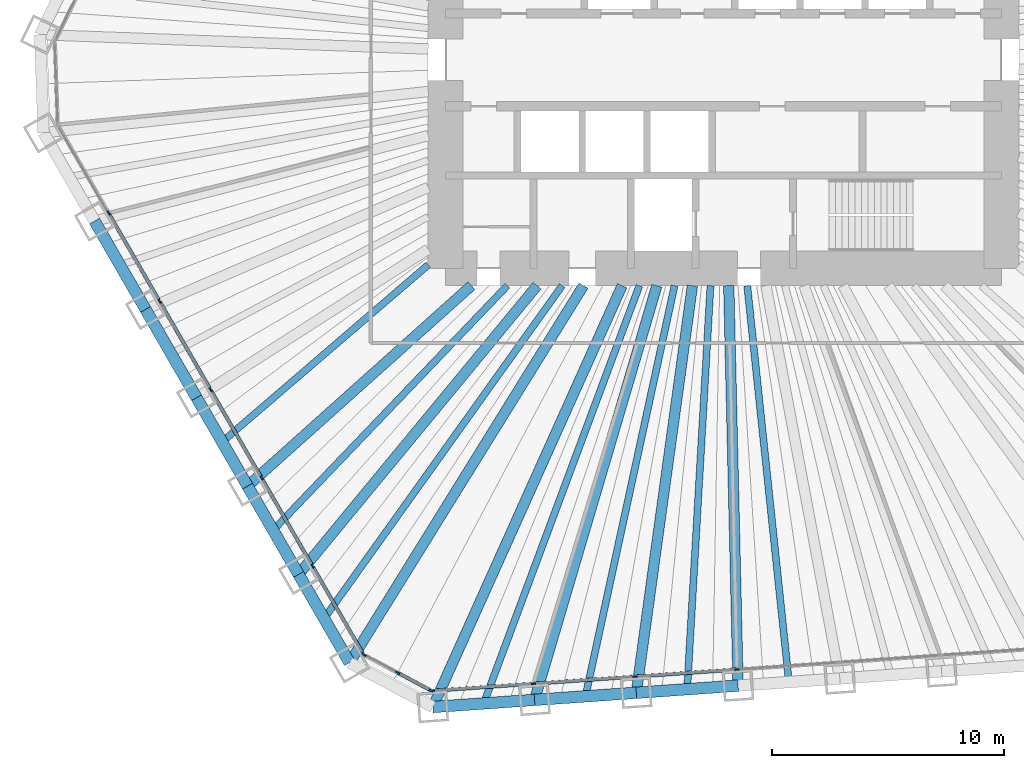
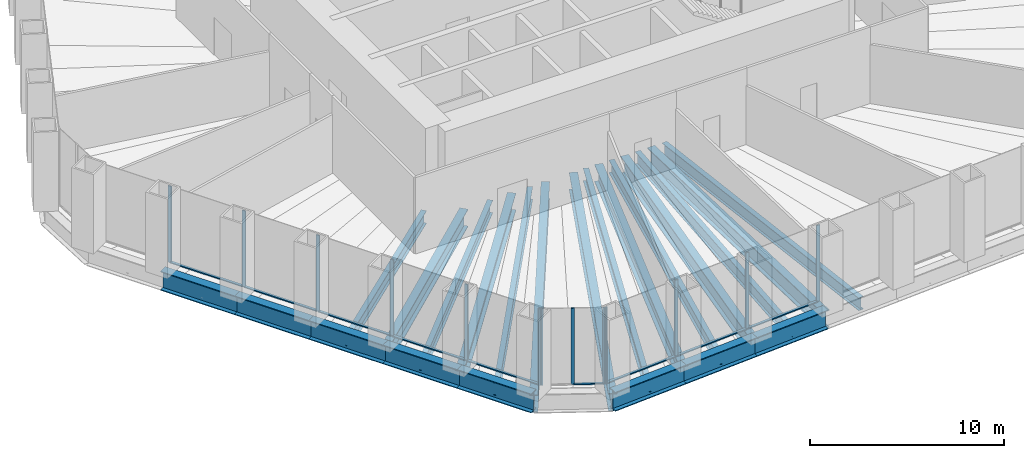
# One storey, part 2 of 13: 22 beams, 22 members, 3 elements without a shape of their own.
"""IFC4 building model written with IfcOpenShell, lengths in metres."""

import ifcopenshell
import ifcopenshell.guid

model = None  # the IFC model being written
_history = None  # IfcOwnerHistory: only IFC2X3 demands one
_inside = {}  # id of a spatial element -> (the spatial element, [elements in it])
_under = {}  # id of a project, library or spatial element -> (it, [spatial elements below it])
_declared = {}  # id of a project -> (the project, [libraries it declares])
_typed = {}  # id of a type object -> (the type object, [elements of that type])
_made_of = {}  # id of a material, layer set ... -> (it, [elements and type objects made of it])


def new_model(schema):
    """Start an empty IFC model of exactly this schema.

    Asked for "IFC4X3", IfcOpenShell would pick the latest addendum, in which some entities
    have other attributes; the version numbers below select the first issue.
    IFC2X3 requires an IfcOwnerHistory on every rooted entity: one is made here for all.
    """
    global model, _history
    if schema == "IFC4X3":
        model = ifcopenshell.file(schema_version=(4, 3, 0, 0))
    else:
        model = ifcopenshell.file(schema=schema)
    _inside.clear()
    _under.clear()
    _declared.clear()
    _typed.clear()
    _made_of.clear()
    _history = None
    if model.schema == "IFC2X3":
        org = make("IfcOrganization", Name="unknown")
        user = make(
            "IfcPersonAndOrganization",
            ThePerson=make("IfcPerson", FamilyName="unknown"),
            TheOrganization=org,
        )
        app = make(
            "IfcApplication",
            ApplicationDeveloper=org,
            Version="unknown",
            ApplicationFullName="unknown",
            ApplicationIdentifier="unknown",
        )
        _history = make(
            "IfcOwnerHistory",
            OwningUser=user,
            OwningApplication=app,
            ChangeAction="ADDED",
            CreationDate=0,
        )
    return model


def make(cls, **values):
    """One entity of the class cls with the attributes given. An attribute that is None is left unset."""
    return model.create_entity(
        cls, **{name: value for name, value in values.items() if value is not None}
    )


def rooted(cls, **values):
    """An entity with a GlobalId (a new one), such as an element, a storey or a relation."""
    return make(cls, GlobalId=ifcopenshell.guid.new(), OwnerHistory=_history, **values)


def si_unit(unit_type, name, prefix=None):
    """IfcSIUnit, for example si_unit("LENGTHUNIT", "METRE", prefix="MILLI")."""
    return make("IfcSIUnit", UnitType=unit_type, Prefix=prefix, Name=name)


def assignment(units):
    """IfcUnitAssignment: the units of a project."""
    return None if units is None else make("IfcUnitAssignment", Units=units)


def point(xyz):
    """IfcCartesianPoint."""
    return None if xyz is None else make("IfcCartesianPoint", Coordinates=xyz)


def direction(xyz):
    """IfcDirection."""
    return None if xyz is None else make("IfcDirection", DirectionRatios=xyz)


def frame(location, z_axis=None, x_axis=None):
    """IfcAxis2Placement3D, a coordinate frame: its origin and axes. An axis left out is left unset."""
    return make(
        "IfcAxis2Placement3D",
        Location=point(location),
        Axis=direction(z_axis),
        RefDirection=direction(x_axis),
    )


def frame_2d(location, x_axis=None):
    """IfcAxis2Placement2D, a coordinate frame in the plane: its origin and x axis."""
    return make(
        "IfcAxis2Placement2D", Location=point(location), RefDirection=direction(x_axis)
    )


def origin():
    """The frame at (0, 0, 0) with its axes left unset."""
    return frame((0.0, 0.0, 0.0))


def origin_2d():
    """The frame at (0, 0) in the plane with its x axis left unset."""
    return frame_2d((0.0, 0.0))


def place(relative_to, where):
    """IfcLocalPlacement: puts the frame where relative to a parent placement (None: the world)."""
    return make(
        "IfcLocalPlacement", PlacementRelTo=relative_to, RelativePlacement=where
    )


def context(
    kind, dimensions, precision=None, world=None, true_north=None, identifier=None
):
    """IfcGeometricRepresentationContext, for example the 3D "Model" context."""
    return make(
        "IfcGeometricRepresentationContext",
        ContextIdentifier=identifier,
        ContextType=kind,
        CoordinateSpaceDimension=dimensions,
        Precision=precision,
        WorldCoordinateSystem=world,
        TrueNorth=true_north,
    )


def subcontext(parent, identifier, kind, view, scale=None):
    """IfcGeometricRepresentationSubContext, for example "Body" below "Model"."""
    return make(
        "IfcGeometricRepresentationSubContext",
        ContextIdentifier=identifier,
        ContextType=kind,
        ParentContext=parent,
        TargetScale=scale,
        TargetView=view,
    )


def project(units=None, contexts=None):
    """IfcProject with its units and contexts."""
    return rooted(
        "IfcProject",
        Name="project",
        RepresentationContexts=contexts,
        UnitsInContext=assignment(units),
    )


def spatial(cls, under=None, at=None, **own):
    """A site, building, storey or space (cls), placed at a placement, below another one or the project."""
    s = rooted(cls, ObjectPlacement=at, **own)
    if under is not None:
        _under.setdefault(under.id(), (under, []))[1].append(s)
    return s


def profile(cls, at=None, kind="AREA", **sizes):
    """A parametric profile (cls). Its sizes go by their IFC names, for example OverallWidth=200.0."""
    return make(cls, ProfileType=kind, Position=at, **sizes)


def rectangle(**sizes):
    """IfcRectangleProfileDef."""
    return profile("IfcRectangleProfileDef", **sizes)


def i_section(**sizes):
    """IfcIShapeProfileDef."""
    return profile("IfcIShapeProfileDef", **sizes)


def extrude(swept, where, along, depth):
    """IfcExtrudedAreaSolid: the profile swept, set in the frame where, extruded along a direction by depth."""
    return make(
        "IfcExtrudedAreaSolid",
        SweptArea=swept,
        Position=where,
        ExtrudedDirection=direction(along),
        Depth=depth,
    )


def shape(context_of_items, identifier, shape_type, items):
    """IfcShapeRepresentation: the items that make up one representation, for example the "Body"."""
    return make(
        "IfcShapeRepresentation",
        ContextOfItems=context_of_items,
        RepresentationIdentifier=identifier,
        RepresentationType=shape_type,
        Items=items,
    )


def material(Name=None, Category=None):
    """IfcMaterial."""
    return make("IfcMaterial", Name=Name, Category=Category)


def material_profile(
    of_material, cross_section, Name=None, Category=None, Priority=None
):
    """IfcMaterialProfile: a cross section and its material."""
    return make(
        "IfcMaterialProfile",
        Name=Name,
        Material=of_material,
        Profile=cross_section,
        Priority=Priority,
        Category=Category,
    )


def profile_set(profiles, Name=None, composite=None):
    """IfcMaterialProfileSet."""
    return make(
        "IfcMaterialProfileSet",
        Name=Name,
        MaterialProfiles=profiles,
        CompositeProfile=composite,
    )


def made_of(thing, what):
    """Note that an element or type object is made of a material, layer set ...; save() writes the relation."""
    if what is not None:
        _made_of.setdefault(what.id(), (what, []))[1].append(thing)
    return thing


def type_object(cls, material=None, **own):
    """A type object (cls), such as IfcWallType, which elements share."""
    return made_of(rooted(cls, **own), material)


def element(
    cls,
    number,
    at=None,
    inside=None,
    cuts=None,
    type_object=None,
    material=None,
    context=None,
    identifier="Body",
    shape_type=None,
    held_by="IfcProductDefinitionShape",
    body=None,
    shapes=None,
    **own,
):
    """One element of the class cls, such as IfcWall. Its Tag is "e" and its number.

    at: its placement. inside: the storey or other place that contains it. cuts: it is an
    opening in that element (IfcRelVoidsElement). A single representation is given by context,
    identifier, shape_type and body (its items); several are given by shapes. held_by: the class
    of the entity that holds the representations. save() writes the other relations.
    """
    e = rooted(cls, Tag="e%d" % number, ObjectPlacement=at, **own)
    if body is not None:
        shapes = [shape(context, identifier, shape_type, body)]
    if shapes is not None:
        e.Representation = make(held_by, Representations=shapes)
    if inside is not None:
        _inside.setdefault(inside.id(), (inside, []))[1].append(e)
    if cuts is not None:
        rooted(
            "IfcRelVoidsElement", RelatingBuildingElement=cuts, RelatedOpeningElement=e
        )
    if type_object is not None:
        _typed.setdefault(type_object.id(), (type_object, []))[1].append(e)
    return made_of(e, material)


def aggregate(whole, parts):
    """IfcRelAggregates: a whole, such as a stair, and the parts it consists of."""
    return rooted("IfcRelAggregates", RelatingObject=whole, RelatedObjects=parts)


def save(model, path):
    """Write the relations noted so far, then the file.

    IfcRelAggregates (storeys below a building ...), IfcRelContainedInSpatialStructure (elements
    in a storey), IfcRelDefinesByType, IfcRelAssociatesMaterial and IfcRelDeclares: one each for
    every whole, place, type object, material and project.
    """
    for whole, parts in _under.values():
        aggregate(whole, parts)
    for where, things in _inside.values():
        rooted(
            "IfcRelContainedInSpatialStructure",
            RelatedElements=things,
            RelatingStructure=where,
        )
    for kind, things in _typed.values():
        rooted("IfcRelDefinesByType", RelatedObjects=things, RelatingType=kind)
    for what, things in _made_of.values():
        rooted("IfcRelAssociatesMaterial", RelatedObjects=things, RelatingMaterial=what)
    for by, libraries in _declared.values():
        rooted("IfcRelDeclares", RelatingContext=by, RelatedDefinitions=libraries)
    model.write(path)


model = new_model("IFC4")

# Units and contexts
model_context = context("Model", 3, precision=1e-05, world=origin(), true_north=direction((0.0, 1.0)))
body_context = subcontext(model_context, "Body", "Model", "MODEL_VIEW")
ifc_project = project(units=[si_unit("LENGTHUNIT", "METRE"), si_unit("AREAUNIT", "SQUARE_METRE"), si_unit("VOLUMEUNIT", "CUBIC_METRE"), si_unit("PLANEANGLEUNIT", "RADIAN"), si_unit("MASSUNIT", "GRAM", prefix="KILO")], contexts=[model_context])

# Site, building, storey
site_placement = place(None, origin())
site = spatial("IfcSite", under=ifc_project, at=site_placement, CompositionType="ELEMENT")
building_placement = place(site_placement, origin())
building = spatial("IfcBuilding", under=site, at=building_placement, Name="Qingtian Harvest Tower", CompositionType="ELEMENT")
storey_placement = place(building_placement, frame((0.0, 0.0, 32.0)))
storey = spatial("IfcBuildingStorey", under=building, at=storey_placement, Name="L06", CompositionType="ELEMENT", Elevation=32.0)

# Beams
ifc_material_1 = material(Name="Steel SM570MC", Category="steel")
ifc_material_profile_1 = material_profile(ifc_material_1, i_section(OverallWidth=0.449951171875, OverallDepth=1.10009765625, WebThickness=0.02197265625, FlangeThickness=0.044921875, at=origin_2d()), Name="H1100x450x22x45")
ifc_profile_set_1 = profile_set([ifc_material_profile_1], Name="Steel SM570MC")
beam_type_1 = type_object("IfcBeamType", Name="Corner floor beam FB8 H1100x450x22x45", PredefinedType="BEAM", material=ifc_profile_set_1)
beam_1_placement = place(storey_placement, frame((-12.552734375, -27.943603515625, -0.75), z_axis=(0.409769605538, 0.912189054077, 0.0), x_axis=(-0.912189054077, 0.409769605538, 0.0)))
element("IfcBeam", 1, at=beam_1_placement, inside=storey, type_object=beam_type_1, Name="Floor beam FB8 S6", PredefinedType="BEAM", context=body_context, shape_type="SweptSolid", body=[
    extrude(i_section(OverallWidth=0.449951171875, OverallDepth=1.10009765625, WebThickness=0.02197265625, FlangeThickness=0.044921875, at=origin_2d()), origin(), (0.0, 0.0, 1.0), 19.945068359375),
])
beam_2_placement = place(storey_placement, frame((-16.14697265625, -26.03271484375, -0.75), z_axis=(0.5270935495, 0.849807266429, 0.0), x_axis=(-0.849807266429, 0.5270935495, 0.0)))
element("IfcBeam", 2, at=beam_2_placement, inside=storey, type_object=beam_type_1, Name="Floor beam FB8 SW0", PredefinedType="BEAM", context=body_context, shape_type="SweptSolid", body=[
    extrude(i_section(OverallWidth=0.449951171875, OverallDepth=1.10009765625, WebThickness=0.02197265625, FlangeThickness=0.044921875, at=origin_2d()), origin(), (0.0, 0.0, 1.0), 19.160400390625),
])
ifc_material_2 = material(Name="Steel SM570MC", Category="steel")
ifc_material_profile_2 = material_profile(ifc_material_2, i_section(OverallWidth=0.449951171875, OverallDepth=1.10009765625, WebThickness=0.02197265625, FlangeThickness=0.044921875, at=origin_2d()), Name="H1100x450x22x45")
ifc_profile_set_2 = profile_set([ifc_material_profile_2], Name="Steel SM570MC")
beam_type_2 = type_object("IfcBeamType", Name="Floor beam FB1 H1100x450x22x45", PredefinedType="BEAM", material=ifc_profile_set_2)
beam_3_placement = place(storey_placement, frame((0.62890625, -27.02197265625, -0.75), z_axis=(-0.023274161941, 0.999729120005, 0.0), x_axis=(-0.999729120005, -0.023274161941, 0.0)))
element("IfcBeam", 3, at=beam_3_placement, inside=storey, type_object=beam_type_2, Name="Floor beam FB1 S3", PredefinedType="BEAM", context=body_context, shape_type="SweptSolid", body=[
    extrude(i_section(OverallWidth=0.449951171875, OverallDepth=1.10009765625, WebThickness=0.02197265625, FlangeThickness=0.044921875, at=origin_2d()), origin(), (0.0, 0.0, 1.0), 17.276611328125),
])
beam_4_placement = place(storey_placement, frame((-3.76513671875, -27.3291015625, -0.75), z_axis=(0.136480966577, 0.990642693287, 0.0), x_axis=(-0.990642693287, 0.136480966577, 0.0)))
element("IfcBeam", 4, at=beam_4_placement, inside=storey, type_object=beam_type_2, Name="Floor beam FB1 S4", PredefinedType="BEAM", context=body_context, shape_type="SweptSolid", body=[
    extrude(i_section(OverallWidth=0.449951171875, OverallDepth=1.10009765625, WebThickness=0.02197265625, FlangeThickness=0.044921875, at=origin_2d()), origin(), (0.0, 0.0, 1.0), 17.7451171875),
])
beam_5_placement = place(storey_placement, frame((-8.158935546875, -27.636474609375, -0.75), z_axis=(0.283142824758, 0.95907775534, 0.0), x_axis=(-0.95907775534, 0.283142824758, 0.0)))
element("IfcBeam", 5, at=beam_5_placement, inside=storey, type_object=beam_type_2, Name="Floor beam FB1 S5", PredefinedType="BEAM", context=body_context, shape_type="SweptSolid", body=[
    extrude(i_section(OverallWidth=0.449951171875, OverallDepth=1.10009765625, WebThickness=0.02197265625, FlangeThickness=0.044921875, at=origin_2d()), origin(), (0.0, 0.0, 1.0), 18.649658203125),
])
beam_6_placement = place(storey_placement, frame((-18.349365234375, -22.21826171875, -0.75), z_axis=(0.636780387972, 0.771045224026, 0.0), x_axis=(-0.771045224026, 0.636780387972, 0.0)))
element("IfcBeam", 6, at=beam_6_placement, inside=storey, type_object=beam_type_2, Name="Floor beam FB1 SW1", PredefinedType="BEAM", context=body_context, shape_type="SweptSolid", body=[
    extrude(i_section(OverallWidth=0.449951171875, OverallDepth=1.10009765625, WebThickness=0.02197265625, FlangeThickness=0.044921875, at=origin_2d()), origin(), (0.0, 0.0, 1.0), 16.170654296875),
])
beam_7_placement = place(storey_placement, frame((-20.551513671875, -18.403564453125, -0.75), z_axis=(0.744965104975, 0.667103434536, 0.0), x_axis=(-0.667103434536, 0.744965104975, 0.0)))
element("IfcBeam", 7, at=beam_7_placement, inside=storey, type_object=beam_type_2, Name="Floor beam FB1 SW2", PredefinedType="BEAM", context=body_context, shape_type="SweptSolid", body=[
    extrude(i_section(OverallWidth=0.449951171875, OverallDepth=1.10009765625, WebThickness=0.02197265625, FlangeThickness=0.044921875, at=origin_2d()), origin(), (0.0, 0.0, 1.0), 12.971923828125),
])
ifc_material_3 = material(Name="Steel SN490B", Category="steel")
ifc_material_profile_3 = material_profile(ifc_material_3, i_section(OverallWidth=0.300048828125, OverallDepth=0.800048828125, WebThickness=0.013916015625, FlangeThickness=0.02587890625, at=origin_2d()), Name="H800x300x14x26")
ifc_profile_set_3 = profile_set([ifc_material_profile_3], Name="Steel SN490B")
beam_type_3 = type_object("IfcBeamType", Name="Floor joist J1 H800x300x14x26", PredefinedType="JOIST", material=ifc_profile_set_3)
beam_8_placement = place(storey_placement, frame((2.82568359375, -26.868408203125, -0.60009765625), z_axis=(-0.104590278152, 0.99451539642, 0.0), x_axis=(-0.99451539642, -0.104590278152, 0.0)))
element("IfcBeam", 8, at=beam_8_placement, inside=storey, type_object=beam_type_3, Name="Floor joist J1 S2", PredefinedType="JOIST", context=body_context, shape_type="SweptSolid", body=[
    extrude(i_section(OverallWidth=0.300048828125, OverallDepth=0.800048828125, WebThickness=0.013916015625, FlangeThickness=0.02587890625, at=origin_2d()), origin(), (0.0, 0.0, 1.0), 17.212890625),
])
beam_9_placement = place(storey_placement, frame((-1.568115234375, -27.175537109375, -0.60009765625), z_axis=(0.057613424947, 0.998338967118, 0.0), x_axis=(-0.998338967118, 0.057613424947, 0.0)))
element("IfcBeam", 9, at=beam_9_placement, inside=storey, type_object=beam_type_3, Name="Floor joist J1 S3", PredefinedType="JOIST", context=body_context, shape_type="SweptSolid", body=[
    extrude(i_section(OverallWidth=0.300048828125, OverallDepth=0.800048828125, WebThickness=0.013916015625, FlangeThickness=0.02587890625, at=origin_2d()), origin(), (0.0, 0.0, 1.0), 17.45458984375),
])
beam_10_placement = place(storey_placement, frame((-5.9619140625, -27.48291015625, -0.60009765625), z_axis=(0.211992805661, 0.977271226604, 0.0), x_axis=(-0.977271226604, 0.211992805661, 0.0)))
element("IfcBeam", 10, at=beam_10_placement, inside=storey, type_object=beam_type_3, Name="Floor joist J1 S4", PredefinedType="JOIST", context=body_context, shape_type="SweptSolid", body=[
    extrude(i_section(OverallWidth=0.300048828125, OverallDepth=0.800048828125, WebThickness=0.013916015625, FlangeThickness=0.02587890625, at=origin_2d()), origin(), (0.0, 0.0, 1.0), 18.145263671875),
])
beam_11_placement = place(storey_placement, frame((-10.35595703125, -27.7900390625, -0.60009765625), z_axis=(0.349193741063, 0.937050548905, 0.0), x_axis=(-0.937050548905, 0.349193741063, 0.0)))
element("IfcBeam", 11, at=beam_11_placement, inside=storey, type_object=beam_type_3, Name="Floor joist J1 S5", PredefinedType="JOIST", context=body_context, shape_type="SweptSolid", body=[
    extrude(i_section(OverallWidth=0.300048828125, OverallDepth=0.800048828125, WebThickness=0.013916015625, FlangeThickness=0.02587890625, at=origin_2d()), origin(), (0.0, 0.0, 1.0), 19.251953125),
])
beam_12_placement = place(storey_placement, frame((-17.248046875, -24.12548828125, -0.60009765625), z_axis=(0.581580544546, 0.81348882611, 0.0), x_axis=(-0.81348882611, 0.581580544546, 0.0)))
element("IfcBeam", 12, at=beam_12_placement, inside=storey, type_object=beam_type_3, Name="Floor joist J1 SW0", PredefinedType="JOIST", context=body_context, shape_type="SweptSolid", body=[
    extrude(i_section(OverallWidth=0.300048828125, OverallDepth=0.800048828125, WebThickness=0.013916015625, FlangeThickness=0.02587890625, at=origin_2d()), origin(), (0.0, 0.0, 1.0), 17.67138671875),
])
beam_13_placement = place(storey_placement, frame((-19.450439453125, -20.31103515625, -0.60009765625), z_axis=(0.691639144398, 0.722243237377, 0.0), x_axis=(-0.722243237377, 0.691639144398, 0.0)))
element("IfcBeam", 13, at=beam_13_placement, inside=storey, type_object=beam_type_3, Name="Floor joist J1 SW1", PredefinedType="JOIST", context=body_context, shape_type="SweptSolid", body=[
    extrude(i_section(OverallWidth=0.300048828125, OverallDepth=0.800048828125, WebThickness=0.013916015625, FlangeThickness=0.02587890625, at=origin_2d()), origin(), (0.0, 0.0, 1.0), 14.62255859375),
])
beam_14_placement = place(storey_placement, frame((-21.652587890625, -16.496337890625, -0.60009765625), z_axis=(0.758605680154, 0.651550014994, 0.0), x_axis=(-0.651550014994, 0.758605680154, 0.0)))
element("IfcBeam", 14, at=beam_14_placement, inside=storey, type_object=beam_type_3, Name="Floor joist J1 SW2", PredefinedType="JOIST", context=body_context, shape_type="SweptSolid", body=[
    extrude(i_section(OverallWidth=0.300048828125, OverallDepth=0.800048828125, WebThickness=0.013916015625, FlangeThickness=0.02587890625, at=origin_2d()), origin(), (0.0, 0.0, 1.0), 11.7353515625),
])

# Curtain wall, members
ifc_material_4 = material(Name="Bronze-anodised aluminium curtain wall", Category="aluminium")
curtain_wall_type = type_object("IfcCurtainWallType", Name="Curtain wall CW2 farm reception", PredefinedType="USERDEFINED", material=ifc_material_4)
curtain_wall_1_placement = place(storey_placement, origin())
curtain_wall_1 = element("IfcCurtainWall", 15, at=curtain_wall_1_placement, inside=storey, type_object=curtain_wall_type, Name="Curtain wall CW2 L06 S0-5", ObjectType="RECESSED CURTAIN WALL", PredefinedType="USERDEFINED")
ifc_material_5 = material(Name="Bronze-anodised aluminium mullion", Category="aluminium")
ifc_material_profile_4 = material_profile(ifc_material_5, rectangle(XDim=0.06494140625, YDim=0.199951171875, at=origin_2d()), Name="AL 65x200")
ifc_profile_set_4 = profile_set([ifc_material_profile_4], Name="Bronze-anodised aluminium mullion")
member_type_1 = type_object("IfcMemberType", Name="Mullion CWM 65x200", PredefinedType="MULLION", material=ifc_profile_set_4)
member_1_placement = place(storey_placement, frame((0.580078125, -26.32373046875, 0.0), z_axis=(0.0, 0.0, 1.0), x_axis=(0.069756473744, -0.99756405026, 0.0)))
member_1 = element("IfcMember", 16, at=member_1_placement, type_object=member_type_1, Name="CW2 mullion 4", PredefinedType="MULLION", context=body_context, shape_type="SweptSolid", body=[
    extrude(rectangle(XDim=0.06494140625, YDim=0.199951171875, at=origin_2d()), origin(), (0.0, 0.0, 1.0), 4.800048828125),
])
member_2_placement = place(storey_placement, frame((-3.81396484375, -26.630859375, 0.0), z_axis=(0.0, 0.0, 1.0), x_axis=(0.069756473744, -0.99756405026, 0.0)))
member_2 = element("IfcMember", 17, at=member_2_placement, type_object=member_type_1, Name="CW2 mullion 5", PredefinedType="MULLION", context=body_context, shape_type="SweptSolid", body=[
    extrude(rectangle(XDim=0.06494140625, YDim=0.199951171875, at=origin_2d()), origin(), (0.0, 0.0, 1.0), 4.800048828125),
])
member_3_placement = place(storey_placement, frame((-8.207763671875, -26.938232421875, 0.0), z_axis=(0.0, 0.0, 1.0), x_axis=(0.069756473744, -0.99756405026, 0.0)))
member_3 = element("IfcMember", 18, at=member_3_placement, type_object=member_type_1, Name="CW2 mullion 6", PredefinedType="MULLION", context=body_context, shape_type="SweptSolid", body=[
    extrude(rectangle(XDim=0.06494140625, YDim=0.199951171875, at=origin_2d()), origin(), (0.0, 0.0, 1.0), 4.800048828125),
])
member_4_placement = place(storey_placement, frame((-12.569091796875, -27.2431640625, 0.0), z_axis=(0.0, 0.0, 1.0), x_axis=(0.069756473744, -0.99756405026, 0.0)))
member_4 = element("IfcMember", 19, at=member_4_placement, type_object=member_type_1, Name="CW2 mullion 7", PredefinedType="MULLION", context=body_context, shape_type="SweptSolid", body=[
    extrude(rectangle(XDim=0.06494140625, YDim=0.199951171875, at=origin_2d()), origin(), (0.0, 0.0, 1.0), 4.800048828125),
])

curtain_wall_2_placement = place(storey_placement, origin())
curtain_wall_2 = element("IfcCurtainWall", 20, at=curtain_wall_2_placement, inside=storey, type_object=curtain_wall_type, Name="Curtain wall CW2 L06 SC", ObjectType="RECESSED CURTAIN WALL", PredefinedType="USERDEFINED")
member_5_placement = place(storey_placement, frame((-12.63037109375, -27.230224609375, 0.0), z_axis=(0.0, 0.0, 1.0), x_axis=(-0.469471562786, -0.882947592859, 0.0)))
member_5 = element("IfcMember", 21, at=member_5_placement, type_object=member_type_1, Name="CW2 mullion 1", PredefinedType="MULLION", context=body_context, shape_type="SweptSolid", body=[
    extrude(rectangle(XDim=0.06494140625, YDim=0.199951171875, at=origin_2d()), origin(), (0.0, 0.0, 1.0), 4.800048828125),
])
member_6_placement = place(storey_placement, frame((-14.0712890625, -26.464111328125, 0.0), z_axis=(0.0, 0.0, 1.0), x_axis=(-0.469471562786, -0.882947592859, 0.0)))
member_6 = element("IfcMember", 22, at=member_6_placement, type_object=member_type_1, Name="CW2 mullion 2", PredefinedType="MULLION", context=body_context, shape_type="SweptSolid", body=[
    extrude(rectangle(XDim=0.06494140625, YDim=0.199951171875, at=origin_2d()), origin(), (0.0, 0.0, 1.0), 4.800048828125),
])
member_7_placement = place(storey_placement, frame((-15.511962890625, -25.697998046875, 0.0), z_axis=(0.0, 0.0, 1.0), x_axis=(-0.469471562786, -0.882947592859, 0.0)))
member_7 = element("IfcMember", 23, at=member_7_placement, type_object=member_type_1, Name="CW2 mullion 3", PredefinedType="MULLION", context=body_context, shape_type="SweptSolid", body=[
    extrude(rectangle(XDim=0.06494140625, YDim=0.199951171875, at=origin_2d()), origin(), (0.0, 0.0, 1.0), 4.800048828125),
])

curtain_wall_3_placement = place(storey_placement, origin())
curtain_wall_3 = element("IfcCurtainWall", 24, at=curtain_wall_3_placement, inside=storey, type_object=curtain_wall_type, Name="Curtain wall CW2 L06 SW0-5", ObjectType="RECESSED CURTAIN WALL", PredefinedType="USERDEFINED")
member_8_placement = place(storey_placement, frame((-15.556884765625, -25.654541015625, 0.0), z_axis=(0.0, 0.0, 1.0), x_axis=(-0.866025403784, -0.5, 0.0)))
member_8 = element("IfcMember", 25, at=member_8_placement, type_object=member_type_1, Name="CW2 mullion 1", PredefinedType="MULLION", context=body_context, shape_type="SweptSolid", body=[
    extrude(rectangle(XDim=0.06494140625, YDim=0.199951171875, at=origin_2d()), origin(), (0.0, 0.0, 1.0), 4.800048828125),
])
member_9_placement = place(storey_placement, frame((-17.742919921875, -21.8681640625, 0.0), z_axis=(0.0, 0.0, 1.0), x_axis=(-0.866025403784, -0.5, 0.0)))
member_9 = element("IfcMember", 26, at=member_9_placement, type_object=member_type_1, Name="CW2 mullion 2", PredefinedType="MULLION", context=body_context, shape_type="SweptSolid", body=[
    extrude(rectangle(XDim=0.06494140625, YDim=0.199951171875, at=origin_2d()), origin(), (0.0, 0.0, 1.0), 4.800048828125),
])
member_10_placement = place(storey_placement, frame((-19.9453125, -18.0537109375, 0.0), z_axis=(0.0, 0.0, 1.0), x_axis=(-0.866025403784, -0.5, 0.0)))
member_10 = element("IfcMember", 27, at=member_10_placement, type_object=member_type_1, Name="CW2 mullion 3", PredefinedType="MULLION", context=body_context, shape_type="SweptSolid", body=[
    extrude(rectangle(XDim=0.06494140625, YDim=0.199951171875, at=origin_2d()), origin(), (0.0, 0.0, 1.0), 4.800048828125),
])
member_11_placement = place(storey_placement, frame((-22.147705078125, -14.2392578125, 0.0), z_axis=(0.0, 0.0, 1.0), x_axis=(-0.866025403784, -0.5, 0.0)))
member_11 = element("IfcMember", 28, at=member_11_placement, type_object=member_type_1, Name="CW2 mullion 4", PredefinedType="MULLION", context=body_context, shape_type="SweptSolid", body=[
    extrude(rectangle(XDim=0.06494140625, YDim=0.199951171875, at=origin_2d()), origin(), (0.0, 0.0, 1.0), 4.800048828125),
])
member_12_placement = place(storey_placement, frame((-24.349853515625, -10.424560546875, 0.0), z_axis=(0.0, 0.0, 1.0), x_axis=(-0.866025403784, -0.5, 0.0)))
member_12 = element("IfcMember", 29, at=member_12_placement, type_object=member_type_1, Name="CW2 mullion 5", PredefinedType="MULLION", context=body_context, shape_type="SweptSolid", body=[
    extrude(rectangle(XDim=0.06494140625, YDim=0.199951171875, at=origin_2d()), origin(), (0.0, 0.0, 1.0), 4.800048828125),
])
member_13_placement = place(storey_placement, frame((-26.55224609375, -6.610107421875, 0.0), z_axis=(0.0, 0.0, 1.0), x_axis=(-0.866025403784, -0.5, 0.0)))
member_13 = element("IfcMember", 30, at=member_13_placement, type_object=member_type_1, Name="CW2 mullion 6", PredefinedType="MULLION", context=body_context, shape_type="SweptSolid", body=[
    extrude(rectangle(XDim=0.06494140625, YDim=0.199951171875, at=origin_2d()), origin(), (0.0, 0.0, 1.0), 4.800048828125),
])

# Beams
ifc_material_6 = material(Name="Steel SM570MC", Category="steel")
ifc_material_profile_5 = material_profile(ifc_material_6, i_section(OverallWidth=0.5, OverallDepth=1.199951171875, WebThickness=0.02490234375, FlangeThickness=0.050048828125, at=origin_2d()), Name="H1200x500x25x50")
ifc_profile_set_5 = profile_set([ifc_material_profile_5], Name="Steel SM570MC")
beam_type_4 = type_object("IfcBeamType", Name="Spandrel beam SB1 H1200x500x25x50", PredefinedType="SPANDREL", material=ifc_profile_set_5)
beam_15_placement = place(storey_placement, frame((0.62890625, -27.02197265625, -0.60009765625), z_axis=(-0.997566143208, -0.069726536735, 0.0), x_axis=(0.069726536735, -0.997566143208, 0.0)))
element("IfcBeam", 31, at=beam_15_placement, inside=storey, type_object=beam_type_4, Name="Spandrel SB1 S3", PredefinedType="SPANDREL", context=body_context, shape_type="SweptSolid", body=[
    extrude(i_section(OverallWidth=0.5, OverallDepth=1.199951171875, WebThickness=0.02490234375, FlangeThickness=0.050048828125, at=origin_2d()), origin(), (0.0, 0.0, 1.0), 4.40478515625),
])
for number, where, z_axis, x_axis, name in (
    (32, (-3.76513671875, -27.3291015625, -0.60009765625), (-0.997562016486, -0.069785551967, 0.0), (0.069785551967, -0.997562016486, 0.0), "Spandrel SB1 S4"),
    (33, (-8.158935546875, -27.636474609375, -0.60009765625), (-0.997565873714, -0.069730392239, 0.0), (0.069730392239, -0.997565873714, 0.0), "Spandrel SB1 S5"),
    (34, (-16.14697265625, -26.03271484375, -0.60009765625), (-0.50001992892, 0.866013897511, 0.0), (-0.866013897511, -0.50001992892, 0.0), "Spandrel SB1 SW0"),
):
    element("IfcBeam", number, at=place(storey_placement, frame(where, z_axis=z_axis, x_axis=x_axis)), inside=storey, type_object=beam_type_4, Name=name, PredefinedType="SPANDREL", context=body_context, shape_type="SweptSolid", body=[
        extrude(i_section(OverallWidth=0.5, OverallDepth=1.199951171875, WebThickness=0.02490234375, FlangeThickness=0.050048828125, at=origin_2d()), origin(), (0.0, 0.0, 1.0), 4.404541015625),
    ])
beam_16_placement = place(storey_placement, frame((-18.349365234375, -22.21826171875, -0.60009765625), z_axis=(-0.499954356739, 0.86605175433, 0.0), x_axis=(-0.86605175433, -0.499954356739, 0.0)))
element("IfcBeam", 35, at=beam_16_placement, inside=storey, type_object=beam_type_4, Name="Spandrel SB1 SW1", PredefinedType="SPANDREL", context=body_context, shape_type="SweptSolid", body=[
    extrude(i_section(OverallWidth=0.5, OverallDepth=1.199951171875, WebThickness=0.02490234375, FlangeThickness=0.050048828125, at=origin_2d()), origin(), (0.0, 0.0, 1.0), 4.40478515625),
])
for number, where, z_axis, x_axis, name in (
    (36, (-20.551513671875, -18.403564453125, -0.60009765625), (-0.50001992892, 0.866013897511, 0.0), (-0.866013897511, -0.50001992892, 0.0), "Spandrel SB1 SW2"),
    (37, (-22.75390625, -14.589111328125, -0.60009765625), (-0.499978356969, 0.866037899034, 0.0), (-0.866037899034, -0.499978356969, 0.0), "Spandrel SB1 SW3"),
    (38, (-24.9560546875, -10.774658203125, -0.60009765625), (-0.50001992892, 0.866013897511, 0.0), (-0.866013897511, -0.50001992892, 0.0), "Spandrel SB1 SW4"),
):
    element("IfcBeam", number, at=place(storey_placement, frame(where, z_axis=z_axis, x_axis=x_axis)), inside=storey, type_object=beam_type_4, Name=name, PredefinedType="SPANDREL", context=body_context, shape_type="SweptSolid", body=[
        extrude(i_section(OverallWidth=0.5, OverallDepth=1.199951171875, WebThickness=0.02490234375, FlangeThickness=0.050048828125, at=origin_2d()), origin(), (0.0, 0.0, 1.0), 4.404541015625),
    ])

# Member
ifc_material_7 = material(Name="Bronze-anodised aluminium transom", Category="aluminium")
ifc_material_profile_6 = material_profile(ifc_material_7, rectangle(XDim=0.14990234375, YDim=0.06494140625, at=origin_2d()), Name="AL 65x150")
ifc_profile_set_6 = profile_set([ifc_material_profile_6], Name="Bronze-anodised aluminium transom")
member_type_2 = type_object("IfcMemberType", Name="Transom CWT 65x150", PredefinedType="USERDEFINED", material=ifc_profile_set_6)
member_14_placement = place(storey_placement, frame((0.547607421875, -26.325927734375, 0.032470703125), z_axis=(-0.997563824095, -0.069759707979, 0.0), x_axis=(0.069759707979, -0.997563824095, 0.0)))
member_14 = element("IfcMember", 39, at=member_14_placement, type_object=member_type_2, Name="CW2 transom 4.1", ObjectType="TRANSOM", PredefinedType="USERDEFINED", context=body_context, shape_type="SweptSolid", body=[
    extrude(rectangle(XDim=0.14990234375, YDim=0.06494140625, at=origin_2d()), origin(), (0.0, 0.0, 1.0), 4.339599609375),
])

member_15_placement = place(storey_placement, frame((-3.84619140625, -26.63330078125, 0.032470703125), z_axis=(-0.997567737508, -0.069703723594, 0.0), x_axis=(0.069703723594, -0.997567737508, 0.0)))
member_15 = element("IfcMember", 40, at=member_15_placement, type_object=member_type_2, Name="CW2 transom 5.1", ObjectType="TRANSOM", PredefinedType="USERDEFINED", context=body_context, shape_type="SweptSolid", body=[
    extrude(rectangle(XDim=0.14990234375, YDim=0.06494140625, at=origin_2d()), origin(), (0.0, 0.0, 1.0), 4.339599609375),
])

member_16_placement = place(storey_placement, frame((-8.240234375, -26.9404296875, 0.032470703125), z_axis=(-0.997562637827, -0.069776669536, 0.0), x_axis=(0.069776669536, -0.997562637827, 0.0)))
member_16 = element("IfcMember", 41, at=member_16_placement, type_object=member_type_2, Name="CW2 transom 6.1", ObjectType="TRANSOM", PredefinedType="USERDEFINED", context=body_context, shape_type="SweptSolid", body=[
    extrude(rectangle(XDim=0.14990234375, YDim=0.06494140625, at=origin_2d()), origin(), (0.0, 0.0, 1.0), 4.30712890625),
])

aggregate(curtain_wall_1, [member_1, member_2, member_3, member_4, member_14, member_15, member_16])

member_17_placement = place(storey_placement, frame((-12.658935546875, -27.21484375, 0.032470703125), z_axis=(-0.882960338349, 0.46944759122, 0.0), x_axis=(-0.46944759122, -0.882960338349, 0.0)))
member_17 = element("IfcMember", 42, at=member_17_placement, type_object=member_type_2, Name="CW2 transom 1.1", ObjectType="TRANSOM", PredefinedType="USERDEFINED", context=body_context, shape_type="SweptSolid", body=[
    extrude(rectangle(XDim=0.14990234375, YDim=0.06494140625, at=origin_2d()), origin(), (0.0, 0.0, 1.0), 1.56689453125),
])

aggregate(curtain_wall_2, [member_5, member_6, member_7, member_17])

member_18_placement = place(storey_placement, frame((-15.5732421875, -25.62646484375, 0.032470703125), z_axis=(-0.499985768833, 0.866033619997, 0.0), x_axis=(-0.866033619997, -0.499985768833, 0.0)))
member_18 = element("IfcMember", 43, at=member_18_placement, type_object=member_type_2, Name="CW2 transom 1.1", ObjectType="TRANSOM", PredefinedType="USERDEFINED", context=body_context, shape_type="SweptSolid", body=[
    extrude(rectangle(XDim=0.14990234375, YDim=0.06494140625, at=origin_2d()), origin(), (0.0, 0.0, 1.0), 4.307373046875),
])

member_19_placement = place(storey_placement, frame((-17.75927734375, -21.840087890625, 0.032470703125), z_axis=(-0.500011390128, 0.866018827591, 0.0), x_axis=(-0.866018827591, -0.500011390128, 0.0)))
member_19 = element("IfcMember", 44, at=member_19_placement, type_object=member_type_2, Name="CW2 transom 2.1", ObjectType="TRANSOM", PredefinedType="USERDEFINED", context=body_context, shape_type="SweptSolid", body=[
    extrude(rectangle(XDim=0.14990234375, YDim=0.06494140625, at=origin_2d()), origin(), (0.0, 0.0, 1.0), 4.33984375),
])

member_20_placement = place(storey_placement, frame((-19.961669921875, -18.025634765625, 0.032470703125), z_axis=(-0.499969196308, 0.866043187574, 0.0), x_axis=(-0.866043187574, -0.499969196308, 0.0)))
member_20 = element("IfcMember", 45, at=member_20_placement, type_object=member_type_2, Name="CW2 transom 3.1", ObjectType="TRANSOM", PredefinedType="USERDEFINED", context=body_context, shape_type="SweptSolid", body=[
    extrude(rectangle(XDim=0.14990234375, YDim=0.06494140625, at=origin_2d()), origin(), (0.0, 0.0, 1.0), 4.339599609375),
])

member_21_placement = place(storey_placement, frame((-22.163818359375, -14.2109375, 0.032470703125), z_axis=(-0.500035751442, 0.866004761696, 0.0), x_axis=(-0.866004761696, -0.500035751442, 0.0)))
member_21 = element("IfcMember", 46, at=member_21_placement, type_object=member_type_2, Name="CW2 transom 4.1", ObjectType="TRANSOM", PredefinedType="USERDEFINED", context=body_context, shape_type="SweptSolid", body=[
    extrude(rectangle(XDim=0.14990234375, YDim=0.06494140625, at=origin_2d()), origin(), (0.0, 0.0, 1.0), 4.339599609375),
])

member_22_placement = place(storey_placement, frame((-24.3662109375, -10.396484375, 0.032470703125), z_axis=(-0.499993556937, 0.866029123656, 0.0), x_axis=(-0.866029123656, -0.499993556937, 0.0)))
member_22 = element("IfcMember", 47, at=member_22_placement, type_object=member_type_2, Name="CW2 transom 5.1", ObjectType="TRANSOM", PredefinedType="USERDEFINED", context=body_context, shape_type="SweptSolid", body=[
    extrude(rectangle(XDim=0.14990234375, YDim=0.06494140625, at=origin_2d()), origin(), (0.0, 0.0, 1.0), 4.33935546875),
])

aggregate(curtain_wall_3, [member_8, member_9, member_10, member_11, member_12, member_13, member_18, member_19, member_20, member_21, member_22])

save(model, "model.ifc")
